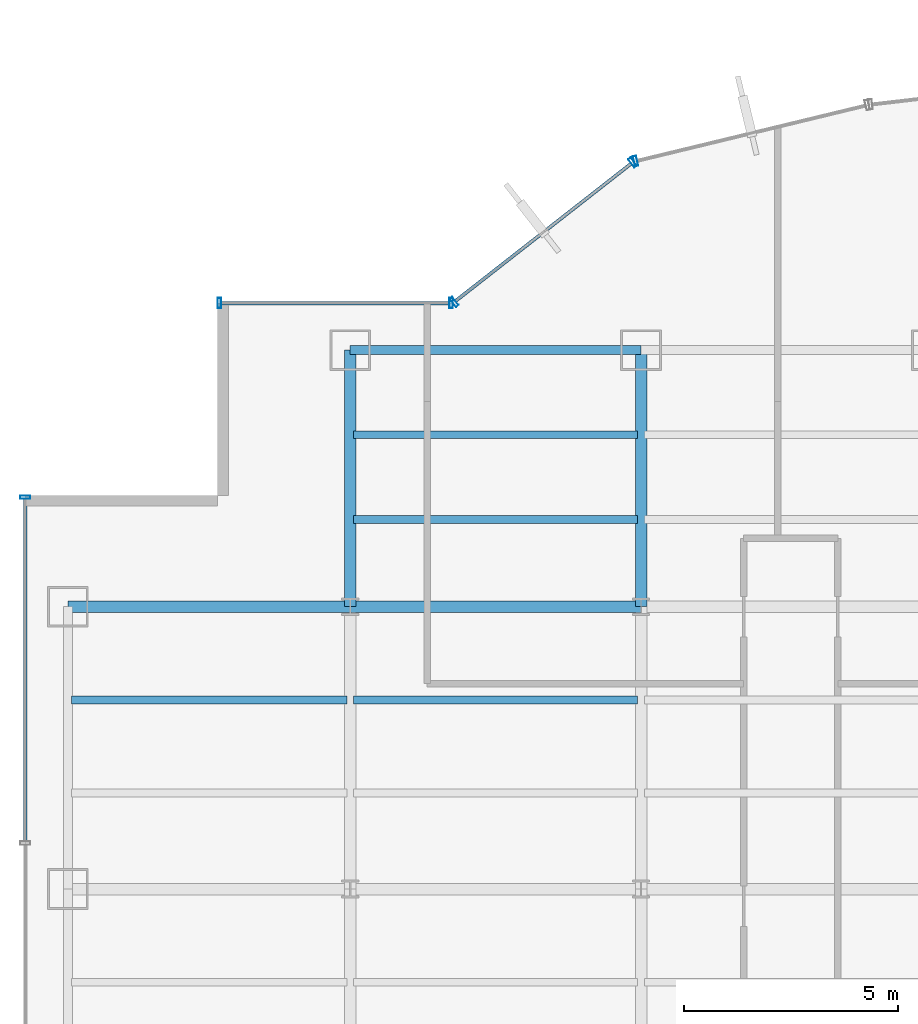
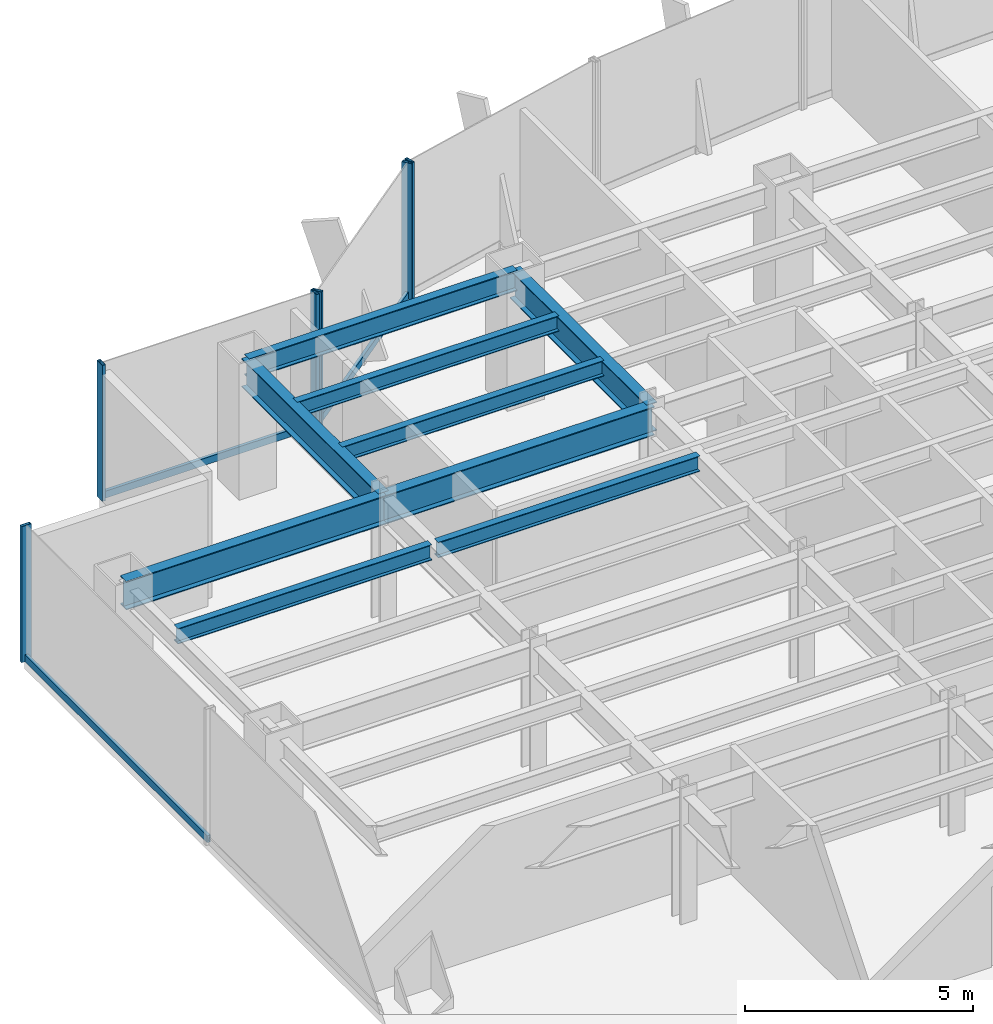
# One storey, part 10 of 22: 9 beams, 9 members, 4 elements without a shape of their own.
"""IFC4 building model written with IfcOpenShell, lengths in metres."""

from ifc_helpers import new_model, si_unit, derived_unit, direction, frame, origin, origin_2d, place, context, subcontext, project, spatial, hollow_rectangle, i_section, extrude, source, transform, mapped, material, material_profile, profile_set, type_object, element, aggregate, save


model = new_model("IFC4")

# Units and contexts
model_context = context("Model", 3, precision=1e-05, world=origin(), true_north=direction((0.0, 1.0)))
body_context = subcontext(model_context, "Body", "Model", "MODEL_VIEW")
ifc_project = project(units=[si_unit("LENGTHUNIT", "METRE"), si_unit("AREAUNIT", "SQUARE_METRE"), si_unit("VOLUMEUNIT", "CUBIC_METRE"), si_unit("PLANEANGLEUNIT", "RADIAN"), si_unit("MASSUNIT", "GRAM", prefix="KILO"), derived_unit("THERMALTRANSMITTANCEUNIT", [(si_unit("POWERUNIT", "WATT"), 1), (si_unit("LENGTHUNIT", "METRE"), -2), (si_unit("THERMODYNAMICTEMPERATUREUNIT", "KELVIN"), -1)])], contexts=[model_context])

# Site, building, storey
site_placement = place(None, origin())
site = spatial("IfcSite", under=ifc_project, at=site_placement, CompositionType="ELEMENT")
building_placement = place(site_placement, origin())
building = spatial("IfcBuilding", under=site, at=building_placement, Name="Skarnbrae Concourse Arena and Tower", CompositionType="ELEMENT")
storey_placement = place(building_placement, frame((0.0, 0.0, 76.300048828125)))
storey = spatial("IfcBuildingStorey", under=building, at=storey_placement, Name="L18", CompositionType="ELEMENT", Elevation=76.300048828125)

# Beams
ifc_material_1 = material(Name="Steel CSA G40.21 350W", Category="steel")
ifc_material_profile_1 = material_profile(ifc_material_1, i_section(OverallWidth=0.26806640625, OverallDepth=0.77001953125, WebThickness=0.015625, FlangeThickness=0.025390625, at=origin_2d()), Name="W760X196")
ifc_profile_set_1 = profile_set([ifc_material_profile_1], Name="Steel CSA G40.21 350W")
beam_type_1 = type_object("IfcBeamType", Name="BM-GIRD-W760X196", PredefinedType="BEAM", material=ifc_profile_set_1)
shared_shape_1 = source(origin(), body_context, "Body", "SweptSolid", [
    extrude(i_section(OverallWidth=0.26806640625, OverallDepth=0.77001953125, WebThickness=0.015625, FlangeThickness=0.025390625, at=origin_2d()), origin(), (0.0, 0.0, 1.0), 6.60009765625),
])
beam_1_placement = place(storey_placement, frame((1.0, 34.39990234375, 3.014892578125), z_axis=(1.0, 0.0, 0.0), x_axis=(0.0, 1.0, 0.0)))
element("IfcBeam", 1, at=beam_1_placement, inside=storey, type_object=beam_type_1, Name="L18 Primary E-W girder Y34.4-1", PredefinedType="BEAM", context=body_context, shape_type="MappedRepresentation", body=[
    mapped(shared_shape_1, transform((0.0, 0.0, 0.0))),
])
shared_shape_2 = source(origin(), body_context, "Body", "SweptSolid", [
    extrude(i_section(OverallWidth=0.26806640625, OverallDepth=0.77001953125, WebThickness=0.015625, FlangeThickness=0.025390625, at=origin_2d()), origin(), (0.0, 0.0, 1.0), 6.7998046875),
])
beam_2_placement = place(storey_placement, frame((7.60009765625, 34.39990234375, 3.014892578125), z_axis=(1.0, 0.0, 0.0), x_axis=(0.0, 1.0, 0.0)))
element("IfcBeam", 2, at=beam_2_placement, inside=storey, type_object=beam_type_1, Name="L18 Primary E-W girder Y34.4-2", PredefinedType="BEAM", context=body_context, shape_type="MappedRepresentation", body=[
    mapped(shared_shape_2, transform((0.0, 0.0, 0.0))),
])
shared_shape_3 = source(origin(), body_context, "Body", "SweptSolid", [
    extrude(i_section(OverallWidth=0.26806640625, OverallDepth=0.77001953125, WebThickness=0.015625, FlangeThickness=0.025390625, at=origin_2d()), origin(), (0.0, 0.0, 1.0), 6.0),
])
for number, where, z_axis, x_axis, name in (
    (3, (7.60009765625, 34.39990234375, 3.014892578125), (0.0, 1.0, 0.0), (-1.0, 0.0, 0.0), "L18 Primary N-S girder X7.6-4"),
    (4, (14.39990234375, 34.39990234375, 3.014892578125), (0.0, 1.0, 0.0), (-1.0, 0.0, 0.0), "L18 Primary N-S girder X14.4-4"),
):
    element("IfcBeam", number, at=place(storey_placement, frame(where, z_axis=z_axis, x_axis=x_axis)), inside=storey, type_object=beam_type_1, Name=name, PredefinedType="BEAM", context=body_context, shape_type="MappedRepresentation", body=[
        mapped(shared_shape_3, transform((0.0, 0.0, 0.0))),
    ])
ifc_material_profile_2 = material_profile(ifc_material_1, i_section(OverallWidth=0.214111328125, OverallDepth=0.549072265625, WebThickness=0.0146484375, FlangeThickness=0.023681640625, at=origin_2d()), Name="W530X138")
ifc_profile_set_2 = profile_set([ifc_material_profile_2], Name="Steel CSA G40.21 350W")
beam_type_2 = type_object("IfcBeamType", Name="BM-SPAN-W530X138", PredefinedType="SPANDREL", material=ifc_profile_set_2)
shared_shape_4 = source(origin(), body_context, "Body", "SweptSolid", [
    extrude(i_section(OverallWidth=0.214111328125, OverallDepth=0.549072265625, WebThickness=0.0146484375, FlangeThickness=0.023681640625, at=origin_2d()), origin(), (0.0, 0.0, 1.0), 6.7998046875),
])
beam_3_placement = place(storey_placement, frame((7.60009765625, 40.39990234375, 3.12548828125), z_axis=(1.0, 0.0, 0.0), x_axis=(0.0, 1.0, 0.0)))
element("IfcBeam", 5, at=beam_3_placement, inside=storey, type_object=beam_type_2, Name="L18 Perimeter spandrel Y40.4-1", PredefinedType="SPANDREL", context=body_context, shape_type="MappedRepresentation", body=[
    mapped(shared_shape_4, transform((0.0, 0.0, 0.0))),
])
ifc_material_profile_3 = material_profile(ifc_material_1, i_section(OverallWidth=0.180908203125, OverallDepth=0.4169921875, WebThickness=0.010986328125, FlangeThickness=0.018310546875, at=origin_2d()), Name="W410X85")
ifc_profile_set_3 = profile_set([ifc_material_profile_3], Name="Steel CSA G40.21 350W")
beam_type_3 = type_object("IfcBeamType", Name="BM-JOIST-W410X85", PredefinedType="JOIST", material=ifc_profile_set_3)
shared_shape_5 = source(origin(), body_context, "Body", "SweptSolid", [
    extrude(i_section(OverallWidth=0.180908203125, OverallDepth=0.4169921875, WebThickness=0.010986328125, FlangeThickness=0.018310546875, at=origin_2d()), origin(), (0.0, 0.0, 1.0), 6.43994140625),
])
beam_4_placement = place(storey_placement, frame((1.080078125, 32.221923828125, 3.19140625), z_axis=(1.0, 0.0, 0.0), x_axis=(0.0, 1.0, 0.0)))
element("IfcBeam", 6, at=beam_4_placement, inside=storey, type_object=beam_type_3, Name="L18 Secondary floor joist 3.2.1", PredefinedType="JOIST", context=body_context, shape_type="MappedRepresentation", body=[
    mapped(shared_shape_5, transform((0.0, 0.0, 0.0))),
])
shared_shape_6 = source(origin(), body_context, "Body", "SweptSolid", [
    extrude(i_section(OverallWidth=0.180908203125, OverallDepth=0.4169921875, WebThickness=0.010986328125, FlangeThickness=0.018310546875, at=origin_2d()), origin(), (0.0, 0.0, 1.0), 6.64013671875),
])
for number, where, z_axis, x_axis, name in (
    (7, (7.679931640625, 32.221923828125, 3.19140625), (1.0, 0.0, 0.0), (0.0, 1.0, 0.0), "L18 Secondary floor joist 3.2.2"),
    (8, (7.679931640625, 36.43994140625, 3.19140625), (1.0, 0.0, 0.0), (0.0, 1.0, 0.0), "L18 Secondary floor joist 4.1.1"),
    (9, (7.679931640625, 38.419921875, 3.19140625), (1.0, 0.0, 0.0), (0.0, 1.0, 0.0), "L18 Secondary floor joist 4.2.1"),
):
    element("IfcBeam", number, at=place(storey_placement, frame(where, z_axis=z_axis, x_axis=x_axis)), inside=storey, type_object=beam_type_3, Name=name, PredefinedType="JOIST", context=body_context, shape_type="MappedRepresentation", body=[
        mapped(shared_shape_6, transform((0.0, 0.0, 0.0))),
    ])

# Curtain wall, member
ifc_material_2 = material(Name="Bronze anodised aluminium 6063-T6", Category="aluminium")
curtain_wall_type = type_object("IfcCurtainWallType", Name="CW-SYS-02-LOWZONE", PredefinedType="USERDEFINED", material=ifc_material_2)
curtain_wall_1_placement = place(storey_placement, origin())
curtain_wall_1 = element("IfcCurtainWall", 10, at=curtain_wall_1_placement, inside=storey, type_object=curtain_wall_type, Name="L18 Unitised curtain wall CW-L18-E14", ObjectType="UNITISED CURTAIN WALL", PredefinedType="USERDEFINED")
ifc_material_profile_4 = material_profile(ifc_material_2, hollow_rectangle(XDim=0.080078125, YDim=0.239990234375, WallThickness=0.0048828125, at=origin_2d()), Name="ALU-MULL-80X240")
ifc_profile_set_4 = profile_set([ifc_material_profile_4], Name="Bronze anodised aluminium 6063-T6")
member_type_1 = type_object("IfcMemberType", Name="CWM-CW-02", PredefinedType="MULLION", material=ifc_profile_set_4)
shared_shape_7 = source(origin(), body_context, "Body", "SweptSolid", [
    extrude(hollow_rectangle(XDim=0.080078125, YDim=0.239990234375, WallThickness=0.0048828125, at=origin_2d()), origin(), (0.0, 0.0, 1.0), 3.64990234375),
])
member_1_placement = place(storey_placement, frame((14.272705078125, 44.821044921875, 0.0), z_axis=(0.0, 0.0, 1.0), x_axis=(-0.971973721569, -0.235089524607, 0.0)))
member_1 = element("IfcMember", 11, at=member_1_placement, type_object=member_type_1, Name="CW-L18-E14 Mullion 2", PredefinedType="MULLION", context=body_context, shape_type="MappedRepresentation", body=[
    mapped(shared_shape_7, transform((0.0, 0.0, 0.0))),
])
aggregate(curtain_wall_1, [member_1])

# Curtain wall, members
curtain_wall_2_placement = place(storey_placement, origin())
curtain_wall_2 = element("IfcCurtainWall", 12, at=curtain_wall_2_placement, inside=storey, type_object=curtain_wall_type, Name="L18 Unitised curtain wall CW-L18-E15", ObjectType="UNITISED CURTAIN WALL", PredefinedType="USERDEFINED")
member_2_placement = place(storey_placement, frame((14.2021484375, 44.787109375, 0.0), z_axis=(0.0, 0.0, 1.0), x_axis=(-0.787651726054, -0.616120733658, 0.0)))
member_2 = element("IfcMember", 13, at=member_2_placement, type_object=member_type_1, Name="CW-L18-E15 Mullion 1", PredefinedType="MULLION", context=body_context, shape_type="MappedRepresentation", body=[
    mapped(shared_shape_7, transform((0.0, 0.0, 0.0))),
])
member_3_placement = place(storey_placement, frame((10.031494140625, 41.524658203125, 0.0), z_axis=(0.0, 0.0, 1.0), x_axis=(-0.787651726054, -0.616120733658, 0.0)))
member_3 = element("IfcMember", 14, at=member_3_placement, type_object=member_type_1, Name="CW-L18-E15 Mullion 2", PredefinedType="MULLION", context=body_context, shape_type="MappedRepresentation", body=[
    mapped(shared_shape_7, transform((0.0, 0.0, 0.0))),
])

curtain_wall_3_placement = place(storey_placement, origin())
curtain_wall_3 = element("IfcCurtainWall", 15, at=curtain_wall_3_placement, inside=storey, type_object=curtain_wall_type, Name="L18 Unitised curtain wall CW-L18-E16", ObjectType="UNITISED CURTAIN WALL", PredefinedType="USERDEFINED")
member_4_placement = place(storey_placement, frame((9.9599609375, 41.5, 0.0), z_axis=(0.0, 0.0, 1.0), x_axis=(-1.0, 0.0, 0.0)))
member_4 = element("IfcMember", 16, at=member_4_placement, type_object=member_type_1, Name="CW-L18-E16 Mullion 1", PredefinedType="MULLION", context=body_context, shape_type="MappedRepresentation", body=[
    mapped(shared_shape_7, transform((0.0, 0.0, 0.0))),
])
member_5_placement = place(storey_placement, frame((4.5400390625, 41.5, 0.0), z_axis=(0.0, 0.0, 1.0), x_axis=(-1.0, 0.0, 0.0)))
member_5 = element("IfcMember", 17, at=member_5_placement, type_object=member_type_1, Name="CW-L18-E16 Mullion 2", PredefinedType="MULLION", context=body_context, shape_type="MappedRepresentation", body=[
    mapped(shared_shape_7, transform((0.0, 0.0, 0.0))),
])

# Curtain wall, member
curtain_wall_4_placement = place(storey_placement, origin())
curtain_wall_4 = element("IfcCurtainWall", 18, at=curtain_wall_4_placement, inside=storey, type_object=curtain_wall_type, Name="L18 Unitised curtain wall CW-L18-E19", ObjectType="UNITISED CURTAIN WALL", PredefinedType="USERDEFINED")
member_6_placement = place(storey_placement, frame((0.0, 36.9599609375, 0.0), z_axis=(0.0, 0.0, 1.0), x_axis=(0.0, -1.0, 0.0)))
member_6 = element("IfcMember", 19, at=member_6_placement, type_object=member_type_1, Name="CW-L18-E19 Mullion 1", PredefinedType="MULLION", context=body_context, shape_type="MappedRepresentation", body=[
    mapped(shared_shape_7, transform((0.0, 0.0, 0.0))),
])

# Member
ifc_material_profile_5 = material_profile(ifc_material_2, hollow_rectangle(XDim=0.080078125, YDim=0.18994140625, WallThickness=0.0048828125, at=origin_2d()), Name="ALU-TRAN-80X190")
ifc_profile_set_5 = profile_set([ifc_material_profile_5], Name="Bronze anodised aluminium 6063-T6")
member_type_2 = type_object("IfcMemberType", Name="CWT-CW-02", PredefinedType="USERDEFINED", material=ifc_profile_set_5)
shared_shape_8 = source(origin(), body_context, "Body", "SweptSolid", [
    extrude(hollow_rectangle(XDim=0.080078125, YDim=0.18994140625, WallThickness=0.0048828125, at=origin_2d()), origin(), (0.0, 0.0, 1.0), 5.33984375),
])
member_7_placement = place(storey_placement, frame((9.919921875, 41.5, 0.094970703125), z_axis=(-1.0, 0.0, 0.0), x_axis=(0.0, -1.0, 0.0)))
member_7 = element("IfcMember", 20, at=member_7_placement, type_object=member_type_2, Name="CW-L18-E16 Transom 1", ObjectType="TRANSOM", PredefinedType="USERDEFINED", context=body_context, shape_type="MappedRepresentation", body=[
    mapped(shared_shape_8, transform((0.0, 0.0, 0.0))),
])

aggregate(curtain_wall_3, [member_4, member_5, member_7])

shared_shape_9 = source(origin(), body_context, "Body", "SweptSolid", [
    extrude(hollow_rectangle(XDim=0.080078125, YDim=0.18994140625, WallThickness=0.0048828125, at=origin_2d()), origin(), (0.0, 0.0, 1.0), 5.215087890625),
])
member_8_placement = place(storey_placement, frame((14.170654296875, 44.762451171875, 0.094970703125), z_axis=(-0.787650196702, -0.616122688784, 0.0), x_axis=(0.616122688784, -0.787650196702, 0.0)))
member_8 = element("IfcMember", 21, at=member_8_placement, type_object=member_type_2, Name="CW-L18-E15 Transom 1", ObjectType="TRANSOM", PredefinedType="USERDEFINED", context=body_context, shape_type="MappedRepresentation", body=[
    mapped(shared_shape_9, transform((0.0, 0.0, 0.0))),
])

aggregate(curtain_wall_2, [member_2, member_3, member_8])

shared_shape_10 = source(origin(), body_context, "Body", "SweptSolid", [
    extrude(hollow_rectangle(XDim=0.080078125, YDim=0.18994140625, WallThickness=0.0048828125, at=origin_2d()), origin(), (0.0, 0.0, 1.0), 8.0048828125),
])
member_9_placement = place(storey_placement, frame((0.0, 36.919921875, 0.094970703125), z_axis=(0.0, -1.0, 0.0), x_axis=(1.0, 0.0, 0.0)))
member_9 = element("IfcMember", 22, at=member_9_placement, type_object=member_type_2, Name="CW-L18-E19 Transom 1", ObjectType="TRANSOM", PredefinedType="USERDEFINED", context=body_context, shape_type="MappedRepresentation", body=[
    mapped(shared_shape_10, transform((0.0, 0.0, 0.0))),
])

aggregate(curtain_wall_4, [member_6, member_9])

save(model, "model.ifc")
